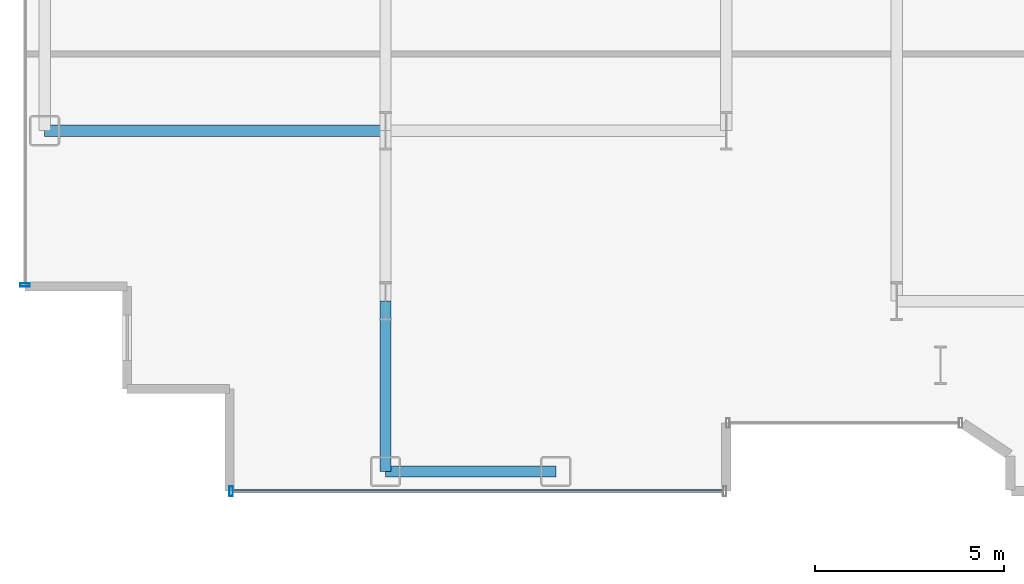
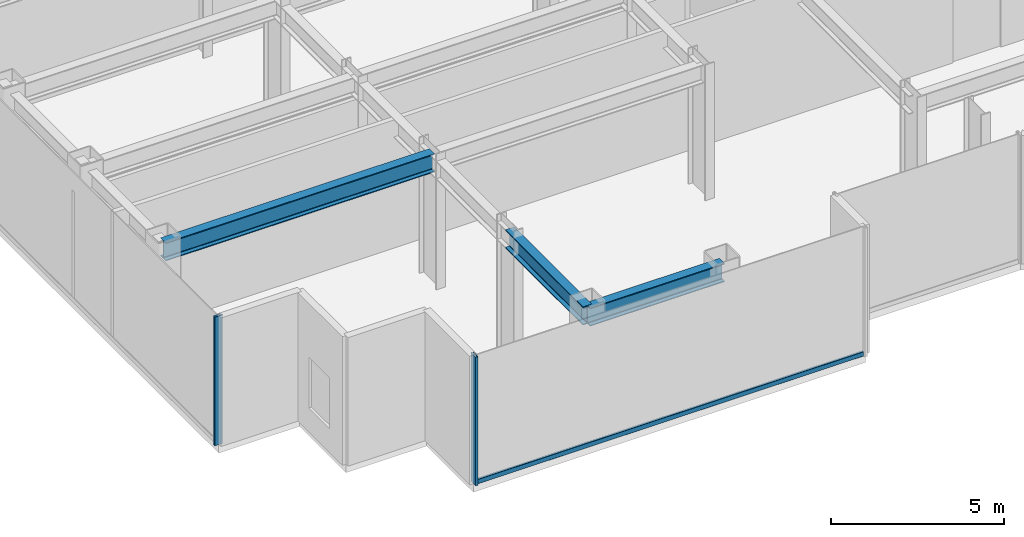
# One storey, part 2 of 27: 3 beams, 3 members, 2 elements without a shape of their own.
"""IFC4 building model written with IfcOpenShell, lengths in metres."""

from ifc_helpers import new_model, si_unit, direction, frame, origin, origin_2d, place, context, subcontext, project, spatial, hollow_rectangle, i_section, extrude, source, transform, mapped, material, layer, layer_set, material_profile, profile_set, type_object, element, aggregate, save


model = new_model("IFC4")

# Units and contexts
model_context = context("Model", 3, precision=1e-05, world=origin(), true_north=direction((0.0, 1.0)))
body_context = subcontext(model_context, "Body", "Model", "MODEL_VIEW")
ifc_project = project(units=[si_unit("LENGTHUNIT", "METRE"), si_unit("AREAUNIT", "SQUARE_METRE"), si_unit("VOLUMEUNIT", "CUBIC_METRE"), si_unit("PLANEANGLEUNIT", "RADIAN"), si_unit("MASSUNIT", "GRAM", prefix="KILO")], contexts=[model_context])

# Site, building, storey
site_placement = place(None, origin())
site = spatial("IfcSite", under=ifc_project, at=site_placement, CompositionType="ELEMENT")
building_placement = place(site_placement, origin())
building = spatial("IfcBuilding", under=site, at=building_placement, Name="Nefas-Gora Pilgrimage Tower", CompositionType="ELEMENT")
storey_placement = place(building_placement, frame((0.0, 0.0, 144.0)))
storey = spatial("IfcBuildingStorey", under=building, at=storey_placement, Name="L35", CompositionType="ELEMENT", Elevation=144.0)

# Beams
ifc_material_1 = material(Name="Steel S355", Category="steel")
ifc_material_profile_1 = material_profile(ifc_material_1, i_section(OverallWidth=0.300048828125, OverallDepth=0.64990234375, WebThickness=0.01611328125, FlangeThickness=0.031005859375, FilletRadius=0.027099609375, at=origin_2d()), Name="HEB 650")
ifc_profile_set_1 = profile_set([ifc_material_profile_1], Name="Steel S355")
beam_type_1 = type_object("IfcBeamType", Name="BM-SPN-HEB500", PredefinedType="SPANDREL", material=ifc_profile_set_1)
shared_shape_1 = source(origin(), body_context, "Body", "SweptSolid", [
    extrude(i_section(OverallWidth=0.300048828125, OverallDepth=0.64990234375, WebThickness=0.01611328125, FlangeThickness=0.031005859375, FilletRadius=0.027099609375, at=origin_2d()), origin(), (0.0, 0.0, 1.0), 4.5),
])
beam_1_placement = place(storey_placement, frame((-24.75, -22.5, 4.22509765625), z_axis=(1.0, 0.0, 0.0), x_axis=(0.0, 1.0, 0.0)))
element("IfcBeam", 1, at=beam_1_placement, inside=storey, type_object=beam_type_1, Name="L35 SP-02 beam", PredefinedType="SPANDREL", context=body_context, shape_type="MappedRepresentation", body=[
    mapped(shared_shape_1, transform((0.0, 0.0, 0.0), x_axis=(1.0, 0.0, 0.0), y_axis=(0.0, 1.0, 0.0), z_axis=(0.0, 0.0, 1.0), scale=1.0)),
])
ifc_material_profile_2 = material_profile(ifc_material_1, i_section(OverallWidth=0.300048828125, OverallDepth=0.64990234375, WebThickness=0.01611328125, FlangeThickness=0.031005859375, FilletRadius=0.027099609375, at=origin_2d()), Name="HEB 650")
ifc_profile_set_2 = profile_set([ifc_material_profile_2], Name="Steel S355")
beam_type_2 = type_object("IfcBeamType", Name="BM-GIR-HEB650", PredefinedType="BEAM", material=ifc_profile_set_2)
shared_shape_2 = source(origin(), body_context, "Body", "SweptSolid", [
    extrude(i_section(OverallWidth=0.300048828125, OverallDepth=0.64990234375, WebThickness=0.01611328125, FlangeThickness=0.031005859375, FilletRadius=0.027099609375, at=origin_2d()), origin(), (0.0, 0.0, 1.0), 9.0),
])
beam_2_placement = place(storey_placement, frame((-33.75, -13.5, 4.22509765625), z_axis=(1.0, 0.0, 0.0), x_axis=(0.0, 1.0, 0.0)))
element("IfcBeam", 2, at=beam_2_placement, inside=storey, type_object=beam_type_2, Name="L35 G-03 beam", PredefinedType="BEAM", context=body_context, shape_type="MappedRepresentation", body=[
    mapped(shared_shape_2, transform((0.0, 0.0, 0.0), x_axis=(1.0, 0.0, 0.0), y_axis=(0.0, 1.0, 0.0), z_axis=(0.0, 0.0, 1.0), scale=1.0)),
])
shared_shape_3 = source(origin(), body_context, "Body", "SweptSolid", [
    extrude(i_section(OverallWidth=0.300048828125, OverallDepth=0.64990234375, WebThickness=0.01611328125, FlangeThickness=0.031005859375, FilletRadius=0.027099609375, at=origin_2d()), origin(), (0.0, 0.0, 1.0), 4.5),
])
beam_3_placement = place(storey_placement, frame((-24.75, -22.5, 4.22509765625), z_axis=(0.0, 1.0, 0.0), x_axis=(-1.0, 0.0, 0.0)))
element("IfcBeam", 3, at=beam_3_placement, inside=storey, type_object=beam_type_2, Name="L35 G-03 beam", PredefinedType="BEAM", context=body_context, shape_type="MappedRepresentation", body=[
    mapped(shared_shape_3, transform((0.0, 0.0, 0.0), x_axis=(1.0, 0.0, 0.0), y_axis=(0.0, 1.0, 0.0), z_axis=(0.0, 0.0, 1.0), scale=1.0)),
])

# Curtain wall, member
ifc_material_2 = material(Name="Dark ceramic-fritted solar-control aluminium-glass curtain wall", Category="aluminium")
ifc_layer = layer(ifc_material_2, 0.219970703125)
ifc_layer_set = layer_set([ifc_layer], Name="Dark ceramic-fritted solar-control aluminium-glass curtain wall")
curtain_wall_type = type_object("IfcCurtainWallType", Name="CW-SYS-2", PredefinedType="NOTDEFINED", material=ifc_layer_set)
curtain_wall_1_placement = place(storey_placement, origin())
curtain_wall_1 = element("IfcCurtainWall", 4, at=curtain_wall_1_placement, inside=storey, type_object=curtain_wall_type, Name="L35 Unitised Curtain Wall CW2", PredefinedType="NOTDEFINED")
ifc_material_3 = material(Name="Anodised architectural aluminium", Category="aluminium")
ifc_material_profile_3 = material_profile(ifc_material_3, hollow_rectangle(XDim=0.080078125, YDim=0.159912109375, WallThickness=0.00439453125, InnerFilletRadius=0.00439453125, OuterFilletRadius=0.009033203125, at=origin_2d()), Name="ALU TRANSOM 80x160")
ifc_profile_set_3 = profile_set([ifc_material_profile_3], Name="Anodised architectural aluminium")
member_type_1 = type_object("IfcMemberType", Name="CWM-TRN-2", PredefinedType="USERDEFINED", material=ifc_profile_set_3)
shared_shape_4 = source(origin(), body_context, "Body", "SweptSolid", [
    extrude(hollow_rectangle(XDim=0.080078125, YDim=0.159912109375, WallThickness=0.00439453125, InnerFilletRadius=0.00439453125, OuterFilletRadius=0.009033203125, at=origin_2d()), origin(), (0.0, 0.0, 1.0), 12.93994140625),
])
member_1_placement = place(storey_placement, frame((-28.780029296875, -23.02001953125, 0.050048828125), z_axis=(1.0, 0.0, 0.0), x_axis=(0.0, 1.0, 0.0)))
member_1 = element("IfcMember", 5, at=member_1_placement, type_object=member_type_1, Name="CW2 Spandrel Transom", ObjectType="TRANSOM", PredefinedType="USERDEFINED", context=body_context, shape_type="MappedRepresentation", body=[
    mapped(shared_shape_4, transform((0.0, 0.0, 0.0), x_axis=(1.0, 0.0, 0.0), y_axis=(0.0, 1.0, 0.0), z_axis=(0.0, 0.0, 1.0), scale=1.0)),
])

curtain_wall_2_placement = place(storey_placement, origin())
curtain_wall_2 = element("IfcCurtainWall", 6, at=curtain_wall_2_placement, inside=storey, type_object=curtain_wall_type, Name="L35 Unitised Curtain Wall CW2", PredefinedType="NOTDEFINED")
ifc_material_profile_4 = material_profile(ifc_material_3, hollow_rectangle(XDim=0.090087890625, YDim=0.260009765625, WallThickness=0.006103515625, InnerFilletRadius=0.006103515625, OuterFilletRadius=0.011962890625, at=origin_2d()), Name="ALU MULLION 90x260")
ifc_profile_set_4 = profile_set([ifc_material_profile_4], Name="Anodised architectural aluminium")
member_type_2 = type_object("IfcMemberType", Name="CWM-MUL-2", PredefinedType="MULLION", material=ifc_profile_set_4)
shared_shape_5 = source(origin(), body_context, "Body", "SweptSolid", [
    extrude(hollow_rectangle(XDim=0.090087890625, YDim=0.260009765625, WallThickness=0.006103515625, InnerFilletRadius=0.006103515625, OuterFilletRadius=0.011962890625, at=origin_2d()), origin(), (0.0, 0.0, 1.0), 4.550048828125),
])
member_2_placement = place(storey_placement, frame((-34.27001953125, -17.574951171875, 0.0), z_axis=(0.0, 0.0, 1.0), x_axis=(0.0, -1.0, 0.0)))
member_2 = element("IfcMember", 7, at=member_2_placement, type_object=member_type_2, Name="CW2 Mullion 2", PredefinedType="MULLION", context=body_context, shape_type="MappedRepresentation", body=[
    mapped(shared_shape_5, transform((0.0, 0.0, 0.0), x_axis=(1.0, 0.0, 0.0), y_axis=(0.0, 1.0, 0.0), z_axis=(0.0, 0.0, 1.0), scale=1.0)),
])
aggregate(curtain_wall_2, [member_2])

# Member
member_3_placement = place(storey_placement, frame((-28.824951171875, -23.02001953125, 0.0), z_axis=(0.0, 0.0, 1.0), x_axis=(1.0, 0.0, 0.0)))
member_3 = element("IfcMember", 8, at=member_3_placement, type_object=member_type_2, Name="CW2 Mullion 1", PredefinedType="MULLION", context=body_context, shape_type="MappedRepresentation", body=[
    mapped(shared_shape_5, transform((0.0, 0.0, 0.0), x_axis=(1.0, 0.0, 0.0), y_axis=(0.0, 1.0, 0.0), z_axis=(0.0, 0.0, 1.0), scale=1.0)),
])

aggregate(curtain_wall_1, [member_3, member_1])

save(model, "model.ifc")
